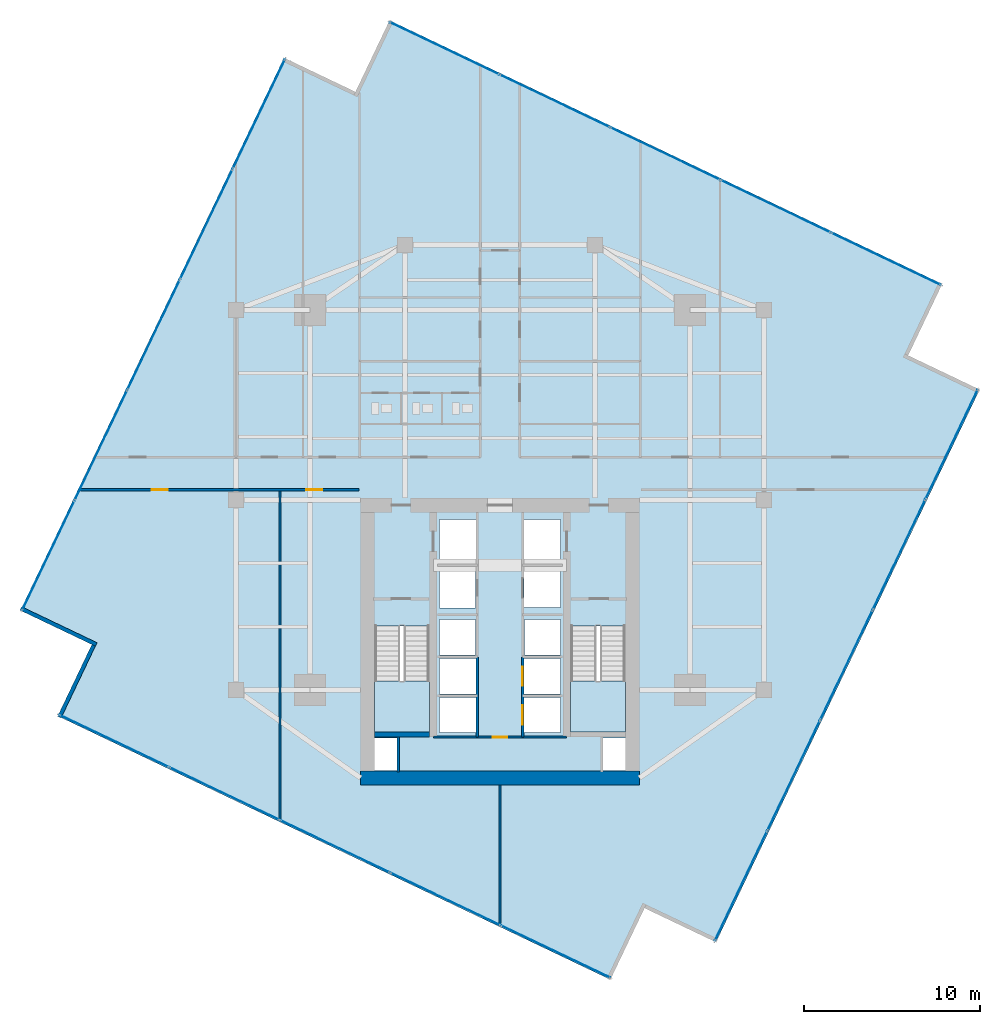
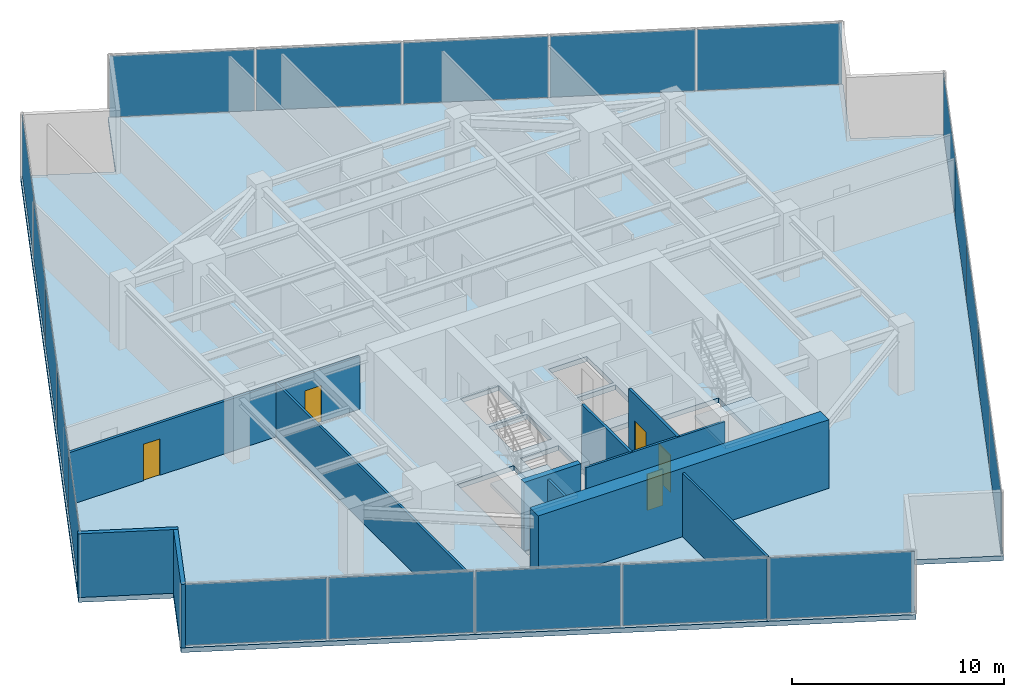
# One storey, part 21 of 25: 20 plates, 11 walls, 5 doors, 3 slabs, 5 openings, 6 elements without a shape of their own.
"""IFC4 building model written with IfcOpenShell, lengths in metres."""

from ifc_helpers import new_model, si_unit, direction, frame, frame_2d, origin, origin_2d, place, context, subcontext, project, spatial, polyline, rectangle, outline, extrude, source, transform, mapped, material, layer, layer_set, type_object, type_shapes, element, fill, aggregate, save


model = new_model("IFC4")

# Units and contexts
model_context = context("Model", 3, precision=1e-05, world=origin(), true_north=direction((0.0, 1.0)))
body_context = subcontext(model_context, "Body", "Model", "MODEL_VIEW")
ifc_project = project(units=[si_unit("LENGTHUNIT", "METRE"), si_unit("AREAUNIT", "SQUARE_METRE"), si_unit("VOLUMEUNIT", "CUBIC_METRE"), si_unit("PLANEANGLEUNIT", "RADIAN"), si_unit("MASSUNIT", "GRAM", prefix="KILO")], contexts=[model_context])

# Site, building, storey
site_placement = place(None, origin())
site = spatial("IfcSite", under=ifc_project, at=site_placement, CompositionType="ELEMENT")
building_placement = place(site_placement, origin())
building = spatial("IfcBuilding", under=site, at=building_placement, Name="Krantzveldt Concourse Tower", CompositionType="ELEMENT")
storey_placement = place(building_placement, frame((0.0, 0.0, 146.199951171875)))
storey = spatial("IfcBuildingStorey", under=building, at=storey_placement, Name="L35", CompositionType="ELEMENT", Elevation=146.199951171875)

# Stair, slab
ifc_material_1 = material(Name="Precast concrete C40/50", Category="concrete")
stair_type = type_object("IfcStairType", Name="STR-CORE-DOGLEG", PredefinedType="HALF_TURN_STAIR", material=ifc_material_1)
stair_1_placement = place(storey_placement, origin())
stair_1 = element("IfcStair", 1, at=stair_1_placement, inside=storey, type_object=stair_type, Name="L35 Protected Escape Stair ST-1", PredefinedType="HALF_TURN_STAIR")
ifc_layer_1 = layer(ifc_material_1, 0.199951171875, Name="Precast concrete C40/50", Category="concrete")
ifc_layer_set_1 = layer_set([ifc_layer_1], Name="Precast concrete C40/50 (SL-LANDING-200)")
slab_type_1 = type_object("IfcSlabType", Name="SL-LANDING-200", PredefinedType="LANDING", material=ifc_layer_set_1)
slab_1_placement = place(storey_placement, frame((0.0, 0.0, 1.775146484375)))
slab_1 = element("IfcSlab", 2, at=slab_1_placement, type_object=slab_type_1, Name="ST-1 landing 1", PredefinedType="LANDING", context=body_context, shape_type="SweptSolid", body=[
    extrude(outline(polyline([(28.8798828125, 16.4150390625), (28.8798828125, 13.52001953125), (31.97998046875, 13.52001953125), (31.97998046875, 16.4150390625), (28.8798828125, 16.4150390625)])), origin(), (0.0, 0.0, 1.0), 0.199951171875),
])
aggregate(stair_1, [slab_1])

stair_2_placement = place(storey_placement, origin())
stair_2 = element("IfcStair", 3, at=stair_2_placement, inside=storey, type_object=stair_type, Name="L35 Protected Escape Stair ST-2", PredefinedType="HALF_TURN_STAIR")
slab_2_placement = place(storey_placement, frame((0.0, 0.0, 1.775146484375)))
slab_2 = element("IfcSlab", 4, at=slab_2_placement, type_object=slab_type_1, Name="ST-2 landing 1", PredefinedType="LANDING", context=body_context, shape_type="SweptSolid", body=[
    extrude(outline(polyline([(40.02001953125, 16.4150390625), (40.02001953125, 13.52001953125), (43.1201171875, 13.52001953125), (43.1201171875, 16.4150390625), (40.02001953125, 16.4150390625)])), origin(), (0.0, 0.0, 1.0), 0.199951171875),
])
aggregate(stair_2, [slab_2])

# Slab
ifc_material_2 = material(Name="Concrete C40/50", Category="concrete")
ifc_layer_2 = layer(ifc_material_2, 0.280029296875, Name="Concrete C40/50", Category="concrete")
ifc_layer_set_2 = layer_set([ifc_layer_2], Name="Concrete C40/50 (SL-SL-TWR280)")
slab_type_2 = type_object("IfcSlabType", Name="SL-SL-TWR280", PredefinedType="FLOOR", material=ifc_layer_set_2)
slab_3_placement = place(storey_placement, frame((0.0, 0.0, -0.280029296875)))
element("IfcSlab", 5, at=slab_3_placement, inside=storey, type_object=slab_type_2, Name="SL-L35-MAIN", PredefinedType="FLOOR", context=body_context, shape_type="SweptSolid", body=[
    extrude(outline(polyline([(27.785888671875, 49.89599609375), (23.724365234375, 51.833251953125), (8.742431640625, 20.423095703125), (12.80419921875, 18.48583984375), (10.86669921875, 14.42431640625), (42.27685546875, -0.5576171875), (44.214111328125, 3.504150390625), (48.275634765625, 1.56689453125), (63.257568359375, 32.976806640625), (59.19580078125, 34.9140625), (61.13330078125, 38.975830078125), (29.72314453125, 53.95751953125), (27.785888671875, 49.89599609375)]), holes=[polyline([(28.8798828125, 19.547607421875), (28.8798828125, 13.52001953125), (31.97998046875, 13.52001953125), (31.97998046875, 19.547607421875), (28.8798828125, 19.547607421875)]), polyline([(40.02001953125, 19.547607421875), (40.02001953125, 13.52001953125), (43.1201171875, 13.52001953125), (43.1201171875, 19.547607421875), (40.02001953125, 19.547607421875)]), polyline([(32.550048828125, 23.10009765625), (34.64990234375, 23.10009765625), (34.64990234375, 25.60009765625), (32.550048828125, 25.60009765625), (32.550048828125, 23.10009765625)]), polyline([(37.35009765625, 23.10009765625), (39.449951171875, 23.10009765625), (39.449951171875, 25.60009765625), (37.35009765625, 25.60009765625), (37.35009765625, 23.10009765625)]), polyline([(37.35009765625, 20.60009765625), (39.449951171875, 20.60009765625), (39.449951171875, 22.89990234375), (37.35009765625, 22.89990234375), (37.35009765625, 20.60009765625)]), polyline([(32.550048828125, 13.47998046875), (34.64990234375, 13.47998046875), (34.64990234375, 15.47998046875), (32.550048828125, 15.47998046875), (32.550048828125, 13.47998046875)]), polyline([(32.550048828125, 15.679931640625), (34.64990234375, 15.679931640625), (34.64990234375, 17.679931640625), (32.550048828125, 17.679931640625), (32.550048828125, 15.679931640625)]), polyline([(37.35009765625, 13.47998046875), (39.449951171875, 13.47998046875), (39.449951171875, 15.47998046875), (37.35009765625, 15.47998046875), (37.35009765625, 13.47998046875)]), polyline([(37.35009765625, 15.679931640625), (39.449951171875, 15.679931640625), (39.449951171875, 17.679931640625), (37.35009765625, 17.679931640625), (37.35009765625, 15.679931640625)]), polyline([(32.550048828125, 20.550048828125), (34.6201171875, 20.550048828125), (34.6201171875, 22.89990234375), (32.550048828125, 22.89990234375), (32.550048828125, 20.550048828125)]), polyline([(32.550048828125, 17.8798828125), (34.6201171875, 17.8798828125), (34.6201171875, 19.919921875), (32.550048828125, 19.919921875), (32.550048828125, 17.8798828125)]), polyline([(37.3798828125, 17.8798828125), (39.449951171875, 17.8798828125), (39.449951171875, 19.919921875), (37.3798828125, 19.919921875), (37.3798828125, 17.8798828125)]), polyline([(28.8798828125, 11.320068359375), (30.139892578125, 11.320068359375), (30.139892578125, 13.159912109375), (28.8798828125, 13.159912109375), (28.8798828125, 11.320068359375)]), polyline([(41.860107421875, 11.320068359375), (43.1201171875, 11.320068359375), (43.1201171875, 13.159912109375), (41.860107421875, 13.159912109375), (41.860107421875, 11.320068359375)])]), origin(), (0.0, 0.0, 1.0), 0.280029296875),
])

# Curtain wall, plates
ifc_material_3 = material(Name="Anodised aluminium 6063-T6", Category="aluminium")
curtain_wall_type = type_object("IfcCurtainWallType", Name="CW3", PredefinedType="USERDEFINED", material=ifc_material_3)
curtain_wall_1_placement = place(storey_placement, origin())
curtain_wall_1 = element("IfcCurtainWall", 6, at=curtain_wall_1_placement, inside=storey, type_object=curtain_wall_type, Name="CW-L35-F01", ObjectType="UNITISED CURTAIN WALL", PredefinedType="USERDEFINED")
ifc_material_4 = material(Name="Bronze-tinted laminated low-E IGU glass", Category="glass")
ifc_layer_3 = layer(ifc_material_4, 0.031982421875, Name="Bronze-tinted laminated low-E IGU glass", Category="glass")
ifc_layer_set_3 = layer_set([ifc_layer_3], Name="Bronze-tinted laminated low-E IGU glass (CW-GLZ-32)")
plate_type = type_object("IfcPlateType", Name="CW-GLZ-32", PredefinedType="CURTAIN_PANEL", material=ifc_layer_set_3)
shared_shape_1 = source(origin(), body_context, "Body", "SweptSolid", [
    extrude(rectangle(XDim=6.85498046875, YDim=0.031982421875, at=origin_2d()), origin(), (0.0, 0.0, 1.0), 3.530029296875),
])
plate_1_placement = place(storey_placement, frame((22.2998046875, 48.6376953125, 0.06982421875), z_axis=(0.0, 0.0, 1.0), x_axis=(-0.430511162987, -0.902585252784, 0.0)))
plate_1 = element("IfcPlate", 7, at=plate_1_placement, type_object=plate_type, Name="CW-Z34 panel 1.1", PredefinedType="CURTAIN_PANEL", context=body_context, shape_type="MappedRepresentation", body=[
    mapped(shared_shape_1, transform((0.0, 0.0, 0.0), x_axis=(1.0, 0.0, 0.0), y_axis=(0.0, 1.0, 0.0), z_axis=(0.0, 0.0, 1.0), scale=1.0)),
])
plate_2_placement = place(storey_placement, frame((10.329345703125, 23.541259765625, 0.06982421875), z_axis=(0.0, 0.0, 1.0), x_axis=(-0.430511162987, -0.902585252784, 0.0)))
plate_2 = element("IfcPlate", 8, at=plate_2_placement, type_object=plate_type, Name="CW-Z34 panel 5.1", PredefinedType="CURTAIN_PANEL", context=body_context, shape_type="MappedRepresentation", body=[
    mapped(shared_shape_1, transform((0.0, 0.0, 0.0), x_axis=(1.0, 0.0, 0.0), y_axis=(0.0, 1.0, 0.0), z_axis=(0.0, 0.0, 1.0), scale=1.0)),
])

curtain_wall_2_placement = place(storey_placement, origin())
curtain_wall_2 = element("IfcCurtainWall", 9, at=curtain_wall_2_placement, inside=storey, type_object=curtain_wall_type, Name="CW-L35-F04", ObjectType="UNITISED CURTAIN WALL", PredefinedType="USERDEFINED")
plate_3_placement = place(storey_placement, frame((14.062255859375, 12.999755859375, 0.06982421875), z_axis=(0.0, 0.0, 1.0), x_axis=(0.902585252784, -0.430511162987, 0.0)))
plate_3 = element("IfcPlate", 10, at=plate_3_placement, type_object=plate_type, Name="CW-Z34 panel 1.1", PredefinedType="CURTAIN_PANEL", context=body_context, shape_type="MappedRepresentation", body=[
    mapped(shared_shape_1, transform((0.0, 0.0, 0.0), x_axis=(1.0, 0.0, 0.0), y_axis=(0.0, 1.0, 0.0), z_axis=(0.0, 0.0, 1.0), scale=1.0)),
])
plate_4_placement = place(storey_placement, frame((39.15869140625, 1.029541015625, 0.06982421875), z_axis=(0.0, 0.0, 1.0), x_axis=(0.902585252784, -0.430511162987, 0.0)))
plate_4 = element("IfcPlate", 11, at=plate_4_placement, type_object=plate_type, Name="CW-Z34 panel 5.1", PredefinedType="CURTAIN_PANEL", context=body_context, shape_type="MappedRepresentation", body=[
    mapped(shared_shape_1, transform((0.0, 0.0, 0.0), x_axis=(1.0, 0.0, 0.0), y_axis=(0.0, 1.0, 0.0), z_axis=(0.0, 0.0, 1.0), scale=1.0)),
])

curtain_wall_3_placement = place(storey_placement, origin())
curtain_wall_3 = element("IfcCurtainWall", 12, at=curtain_wall_3_placement, inside=storey, type_object=curtain_wall_type, Name="CW-L35-F07", ObjectType="UNITISED CURTAIN WALL", PredefinedType="USERDEFINED")
plate_5_placement = place(storey_placement, frame((49.7001953125, 4.762451171875, 0.06982421875), z_axis=(0.0, 0.0, 1.0), x_axis=(0.430511162987, 0.902585252784, 0.0)))
plate_5 = element("IfcPlate", 13, at=plate_5_placement, type_object=plate_type, Name="CW-Z34 panel 1.1", PredefinedType="CURTAIN_PANEL", context=body_context, shape_type="MappedRepresentation", body=[
    mapped(shared_shape_1, transform((0.0, 0.0, 0.0), x_axis=(1.0, 0.0, 0.0), y_axis=(0.0, 1.0, 0.0), z_axis=(0.0, 0.0, 1.0), scale=1.0)),
])
plate_6_placement = place(storey_placement, frame((61.670654296875, 29.858642578125, 0.06982421875), z_axis=(0.0, 0.0, 1.0), x_axis=(0.430511162987, 0.902585252784, 0.0)))
plate_6 = element("IfcPlate", 14, at=plate_6_placement, type_object=plate_type, Name="CW-Z34 panel 5.1", PredefinedType="CURTAIN_PANEL", context=body_context, shape_type="MappedRepresentation", body=[
    mapped(shared_shape_1, transform((0.0, 0.0, 0.0), x_axis=(1.0, 0.0, 0.0), y_axis=(0.0, 1.0, 0.0), z_axis=(0.0, 0.0, 1.0), scale=1.0)),
])

curtain_wall_4_placement = place(storey_placement, origin())
curtain_wall_4 = element("IfcCurtainWall", 15, at=curtain_wall_4_placement, inside=storey, type_object=curtain_wall_type, Name="CW-L35-F10", ObjectType="UNITISED CURTAIN WALL", PredefinedType="USERDEFINED")
plate_7_placement = place(storey_placement, frame((57.937744140625, 40.400146484375, 0.06982421875), z_axis=(0.0, 0.0, 1.0), x_axis=(-0.902585252784, 0.430511162987, 0.0)))
plate_7 = element("IfcPlate", 16, at=plate_7_placement, type_object=plate_type, Name="CW-Z34 panel 1.1", PredefinedType="CURTAIN_PANEL", context=body_context, shape_type="MappedRepresentation", body=[
    mapped(shared_shape_1, transform((0.0, 0.0, 0.0), x_axis=(1.0, 0.0, 0.0), y_axis=(0.0, 1.0, 0.0), z_axis=(0.0, 0.0, 1.0), scale=1.0)),
])
plate_8_placement = place(storey_placement, frame((32.84130859375, 52.37060546875, 0.06982421875), z_axis=(0.0, 0.0, 1.0), x_axis=(-0.902585252784, 0.430511162987, 0.0)))
plate_8 = element("IfcPlate", 17, at=plate_8_placement, type_object=plate_type, Name="CW-Z34 panel 5.1", PredefinedType="CURTAIN_PANEL", context=body_context, shape_type="MappedRepresentation", body=[
    mapped(shared_shape_1, transform((0.0, 0.0, 0.0), x_axis=(1.0, 0.0, 0.0), y_axis=(0.0, 1.0, 0.0), z_axis=(0.0, 0.0, 1.0), scale=1.0)),
])

# Plate
shared_shape_2 = source(origin(), body_context, "Body", "SweptSolid", [
    extrude(rectangle(XDim=6.889892578125, YDim=0.031982421875, at=origin_2d()), origin(), (0.0, 0.0, 1.0), 3.530029296875),
])
type_shapes(plate_type, [shared_shape_1, shared_shape_2])
plate_9_placement = place(storey_placement, frame((19.31103515625, 42.371337890625, 0.06982421875), z_axis=(0.0, 0.0, 1.0), x_axis=(-0.430511162987, -0.902585252784, 0.0)))
plate_9 = element("IfcPlate", 18, at=plate_9_placement, type_object=plate_type, Name="CW-Z34 panel 2.1", PredefinedType="CURTAIN_PANEL", context=body_context, shape_type="MappedRepresentation", body=[
    mapped(shared_shape_2, transform((0.0, 0.0, 0.0), x_axis=(1.0, 0.0, 0.0), y_axis=(0.0, 1.0, 0.0), z_axis=(0.0, 0.0, 1.0), scale=1.0)),
])

plate_10_placement = place(storey_placement, frame((16.314697265625, 36.08935546875, 0.06982421875), z_axis=(0.0, 0.0, 1.0), x_axis=(-0.430511162987, -0.902585252784, 0.0)))
plate_10 = element("IfcPlate", 19, at=plate_10_placement, type_object=plate_type, Name="CW-Z34 panel 3.1", PredefinedType="CURTAIN_PANEL", context=body_context, shape_type="MappedRepresentation", body=[
    mapped(shared_shape_2, transform((0.0, 0.0, 0.0), x_axis=(1.0, 0.0, 0.0), y_axis=(0.0, 1.0, 0.0), z_axis=(0.0, 0.0, 1.0), scale=1.0)),
])

plate_11_placement = place(storey_placement, frame((13.318359375, 29.807373046875, 0.06982421875), z_axis=(0.0, 0.0, 1.0), x_axis=(-0.430511162987, -0.902585252784, 0.0)))
plate_11 = element("IfcPlate", 20, at=plate_11_placement, type_object=plate_type, Name="CW-Z34 panel 4.1", PredefinedType="CURTAIN_PANEL", context=body_context, shape_type="MappedRepresentation", body=[
    mapped(shared_shape_2, transform((0.0, 0.0, 0.0), x_axis=(1.0, 0.0, 0.0), y_axis=(0.0, 1.0, 0.0), z_axis=(0.0, 0.0, 1.0), scale=1.0)),
])

aggregate(curtain_wall_1, [plate_1, plate_9, plate_10, plate_11, plate_2])

plate_12_placement = place(storey_placement, frame((20.32861328125, 10.010986328125, 0.06982421875), z_axis=(0.0, 0.0, 1.0), x_axis=(0.902585252784, -0.430511162987, 0.0)))
plate_12 = element("IfcPlate", 21, at=plate_12_placement, type_object=plate_type, Name="CW-Z34 panel 2.1", PredefinedType="CURTAIN_PANEL", context=body_context, shape_type="MappedRepresentation", body=[
    mapped(shared_shape_2, transform((0.0, 0.0, 0.0), x_axis=(1.0, 0.0, 0.0), y_axis=(0.0, 1.0, 0.0), z_axis=(0.0, 0.0, 1.0), scale=1.0)),
])

plate_13_placement = place(storey_placement, frame((26.610595703125, 7.0146484375, 0.06982421875), z_axis=(0.0, 0.0, 1.0), x_axis=(0.902585252784, -0.430511162987, 0.0)))
plate_13 = element("IfcPlate", 22, at=plate_13_placement, type_object=plate_type, Name="CW-Z34 panel 3.1", PredefinedType="CURTAIN_PANEL", context=body_context, shape_type="MappedRepresentation", body=[
    mapped(shared_shape_2, transform((0.0, 0.0, 0.0), x_axis=(1.0, 0.0, 0.0), y_axis=(0.0, 1.0, 0.0), z_axis=(0.0, 0.0, 1.0), scale=1.0)),
])

plate_14_placement = place(storey_placement, frame((32.892578125, 4.018310546875, 0.06982421875), z_axis=(0.0, 0.0, 1.0), x_axis=(0.902585252784, -0.430511162987, 0.0)))
plate_14 = element("IfcPlate", 23, at=plate_14_placement, type_object=plate_type, Name="CW-Z34 panel 4.1", PredefinedType="CURTAIN_PANEL", context=body_context, shape_type="MappedRepresentation", body=[
    mapped(shared_shape_2, transform((0.0, 0.0, 0.0), x_axis=(1.0, 0.0, 0.0), y_axis=(0.0, 1.0, 0.0), z_axis=(0.0, 0.0, 1.0), scale=1.0)),
])

aggregate(curtain_wall_2, [plate_3, plate_12, plate_13, plate_14, plate_4])

plate_15_placement = place(storey_placement, frame((52.68896484375, 11.028564453125, 0.06982421875), z_axis=(0.0, 0.0, 1.0), x_axis=(0.430511162987, 0.902585252784, 0.0)))
plate_15 = element("IfcPlate", 24, at=plate_15_placement, type_object=plate_type, Name="CW-Z34 panel 2.1", PredefinedType="CURTAIN_PANEL", context=body_context, shape_type="MappedRepresentation", body=[
    mapped(shared_shape_2, transform((0.0, 0.0, 0.0), x_axis=(1.0, 0.0, 0.0), y_axis=(0.0, 1.0, 0.0), z_axis=(0.0, 0.0, 1.0), scale=1.0)),
])

plate_16_placement = place(storey_placement, frame((55.685302734375, 17.310546875, 0.06982421875), z_axis=(0.0, 0.0, 1.0), x_axis=(0.430511162987, 0.902585252784, 0.0)))
plate_16 = element("IfcPlate", 25, at=plate_16_placement, type_object=plate_type, Name="CW-Z34 panel 3.1", PredefinedType="CURTAIN_PANEL", context=body_context, shape_type="MappedRepresentation", body=[
    mapped(shared_shape_2, transform((0.0, 0.0, 0.0), x_axis=(1.0, 0.0, 0.0), y_axis=(0.0, 1.0, 0.0), z_axis=(0.0, 0.0, 1.0), scale=1.0)),
])

plate_17_placement = place(storey_placement, frame((58.681640625, 23.592529296875, 0.06982421875), z_axis=(0.0, 0.0, 1.0), x_axis=(0.430511162987, 0.902585252784, 0.0)))
plate_17 = element("IfcPlate", 26, at=plate_17_placement, type_object=plate_type, Name="CW-Z34 panel 4.1", PredefinedType="CURTAIN_PANEL", context=body_context, shape_type="MappedRepresentation", body=[
    mapped(shared_shape_2, transform((0.0, 0.0, 0.0), x_axis=(1.0, 0.0, 0.0), y_axis=(0.0, 1.0, 0.0), z_axis=(0.0, 0.0, 1.0), scale=1.0)),
])

aggregate(curtain_wall_3, [plate_5, plate_15, plate_16, plate_17, plate_6])

plate_18_placement = place(storey_placement, frame((51.67138671875, 43.388916015625, 0.06982421875), z_axis=(0.0, 0.0, 1.0), x_axis=(-0.902585252784, 0.430511162987, 0.0)))
plate_18 = element("IfcPlate", 27, at=plate_18_placement, type_object=plate_type, Name="CW-Z34 panel 2.1", PredefinedType="CURTAIN_PANEL", context=body_context, shape_type="MappedRepresentation", body=[
    mapped(shared_shape_2, transform((0.0, 0.0, 0.0), x_axis=(1.0, 0.0, 0.0), y_axis=(0.0, 1.0, 0.0), z_axis=(0.0, 0.0, 1.0), scale=1.0)),
])

plate_19_placement = place(storey_placement, frame((45.389404296875, 46.385498046875, 0.06982421875), z_axis=(0.0, 0.0, 1.0), x_axis=(-0.902585252784, 0.430511162987, 0.0)))
plate_19 = element("IfcPlate", 28, at=plate_19_placement, type_object=plate_type, Name="CW-Z34 panel 3.1", PredefinedType="CURTAIN_PANEL", context=body_context, shape_type="MappedRepresentation", body=[
    mapped(shared_shape_2, transform((0.0, 0.0, 0.0), x_axis=(1.0, 0.0, 0.0), y_axis=(0.0, 1.0, 0.0), z_axis=(0.0, 0.0, 1.0), scale=1.0)),
])

plate_20_placement = place(storey_placement, frame((39.107421875, 49.3818359375, 0.06982421875), z_axis=(0.0, 0.0, 1.0), x_axis=(-0.902585252784, 0.430511162987, 0.0)))
plate_20 = element("IfcPlate", 29, at=plate_20_placement, type_object=plate_type, Name="CW-Z34 panel 4.1", PredefinedType="CURTAIN_PANEL", context=body_context, shape_type="MappedRepresentation", body=[
    mapped(shared_shape_2, transform((0.0, 0.0, 0.0), x_axis=(1.0, 0.0, 0.0), y_axis=(0.0, 1.0, 0.0), z_axis=(0.0, 0.0, 1.0), scale=1.0)),
])

aggregate(curtain_wall_4, [plate_7, plate_18, plate_19, plate_20, plate_8])

# Walls
ifc_layer_4 = layer(ifc_material_3, 0.219970703125, Name="Anodised aluminium 6063-T6", Category="aluminium")
ifc_layer_set_4 = layer_set([ifc_layer_4], Name="Anodised aluminium 6063-T6 (WL-EXT-NOTCH220)")
wall_type_1 = type_object("IfcWallType", Name="WL-EXT-NOTCH220", PredefinedType="ELEMENTEDWALL", material=ifc_layer_set_4)
wall_1_placement = place(storey_placement, frame((8.767333984375, 20.533203125, 0.0), z_axis=(0.0, 0.0, 1.0), x_axis=(0.902587379521, -0.430506704164, 0.0)))
element("IfcWall", 30, at=wall_1_placement, inside=storey, type_object=wall_type_1, Name="EW-L35-NCH02", PredefinedType="ELEMENTEDWALL", context=body_context, shape_type="SweptSolid", body=[
    extrude(rectangle(XDim=4.744873046875, YDim=0.219970703125, at=frame_2d((2.37255859375, 0.0))), origin(), (0.0, 0.0, 1.0), 3.670166015625),
])
wall_2_placement = place(storey_placement, frame((12.9033203125, 18.4384765625, 0.0), z_axis=(0.0, 0.0, 1.0), x_axis=(-0.43049686945, -0.902592070314, 0.0)))
element("IfcWall", 31, at=wall_2_placement, inside=storey, type_object=wall_type_1, Name="EW-L35-NCH03", PredefinedType="ELEMENTEDWALL", context=body_context, shape_type="SweptSolid", body=[
    extrude(rectangle(XDim=4.52490234375, YDim=0.219970703125, at=frame_2d((2.262451171875, 0.0))), origin(), (0.0, 0.0, 1.0), 3.670166015625),
])

# Wall, opening, door
ifc_material_5 = material(Name="Fire-rated gypsum plasterboard on steel stud", Category="steel")
ifc_layer_5 = layer(ifc_material_5, 0.1201171875, Name="Fire-rated gypsum plasterboard on steel stud", Category="steel")
ifc_layer_set_5 = layer_set([ifc_layer_5], Name="Fire-rated gypsum plasterboard on steel stud (WL-PART-120)")
wall_type_2 = type_object("IfcWallType", Name="WL-PART-120", PredefinedType="PARTITIONING", material=ifc_layer_set_5)
wall_3_placement = place(storey_placement, frame((32.2099609375, 13.219970703125, 0.0), z_axis=(0.0, 0.0, 1.0), x_axis=(1.0, 0.0, 0.0)))
wall_3 = element("IfcWall", 32, at=wall_3_placement, inside=storey, type_object=wall_type_2, Name="WP-L35-CS2H", PredefinedType="PARTITIONING", context=body_context, shape_type="SweptSolid", body=[
    extrude(rectangle(XDim=7.580078125, YDim=0.1201171875, at=frame_2d((3.7900390625, 0.0))), origin(), (0.0, 0.0, 1.0), 3.670166015625),
])
opening_1_placement = place(wall_3_placement, frame((3.364990234375, 0.0, 0.0)))
opening_1 = element("IfcOpeningElement", 33, at=opening_1_placement, cuts=wall_3, Name="Opening D-IN085", PredefinedType="OPENING", context=body_context, shape_type="SweptSolid", body=[
    extrude(rectangle(XDim=0.85009765625, YDim=2.10009765625, at=frame_2d((0.425048828125, 1.050048828125))), frame((0.0, 0.070068359375, 0.0), z_axis=(0.0, -1.0, 0.0), x_axis=(1.0, 0.0, 0.0)), (0.0, 0.0, 1.0), 0.14013671875),
])
ifc_material_6 = material(Name="Hardwood timber", Category="wood")
door_type_1 = type_object("IfcDoorType", Name="DR-INT-850", OperationType="SINGLE_SWING_LEFT", PredefinedType="DOOR", material=ifc_material_6)
door_1_placement = place(opening_1_placement, origin())
door_1 = element("IfcDoor", 34, at=door_1_placement, inside=storey, type_object=door_type_1, Name="DR-L35-CSC1", OperationType="SINGLE_SWING_RIGHT", OverallHeight=2.10009765625, OverallWidth=0.85009765625, PredefinedType="DOOR", context=body_context, shape_type="SweptSolid", body=[
    extrude(rectangle(XDim=0.85009765625, YDim=2.10009765625, at=frame_2d((0.425048828125, 1.050048828125))), frame((0.0, 0.02490234375, 0.0), z_axis=(0.0, -1.0, 0.0), x_axis=(1.0, 0.0, 0.0)), (0.0, 0.0, 1.0), 0.050048828125),
])
fill(opening_1, door_1)

# Walls
wall_4_placement = place(storey_placement, frame((36.0, 2.5361328125, 0.0), z_axis=(0.0, 0.0, 1.0), x_axis=(0.0, 1.0, 0.0)))
element("IfcWall", 35, at=wall_4_placement, inside=storey, type_object=wall_type_2, Name="WP-L35-SMID", PredefinedType="PARTITIONING", context=body_context, shape_type="SweptSolid", body=[
    extrude(rectangle(XDim=7.9638671875, YDim=0.1201171875, at=frame_2d((3.98193359375, 0.0))), origin(), (0.0, 0.0, 1.0), 3.670166015625),
])
wall_5_placement = place(storey_placement, frame((23.5, 8.498291015625, 0.0), z_axis=(0.0, 0.0, 1.0), x_axis=(0.0, 1.0, 0.0)))
element("IfcWall", 36, at=wall_5_placement, inside=storey, type_object=wall_type_2, Name="WP-L35-SWX1", PredefinedType="PARTITIONING", context=body_context, shape_type="SweptSolid", body=[
    extrude(rectangle(XDim=18.78173828125, YDim=0.1201171875, at=frame_2d((9.390869140625, 0.0))), origin(), (0.0, 0.0, 1.0), 3.080078125),
])

# Wall, openings, doors
ifc_layer_6 = layer(ifc_material_5, 0.139892578125, Name="Fire-rated gypsum plasterboard on steel stud", Category="steel")
ifc_layer_set_6 = layer_set([ifc_layer_6], Name="Fire-rated gypsum plasterboard on steel stud (WL-PART-140)")
wall_type_3 = type_object("IfcWallType", Name="WL-PART-140", PredefinedType="PARTITIONING", material=ifc_layer_set_6)
wall_6_placement = place(storey_placement, frame((12.11279296875, 27.280029296875, 0.0), z_axis=(0.0, 0.0, 1.0), x_axis=(1.0, 0.0, 0.0)))
wall_6 = element("IfcWall", 37, at=wall_6_placement, inside=storey, type_object=wall_type_3, Name="WP-L35-EWSL", PredefinedType="PARTITIONING", context=body_context, shape_type="SweptSolid", body=[
    extrude(rectangle(XDim=15.88720703125, YDim=0.139892578125, at=frame_2d((7.943603515625, 0.0))), origin(), (0.0, 0.0, 1.0), 3.030029296875),
])
opening_2_placement = place(wall_6_placement, frame((4.105224609375, 0.0, 0.0)))
opening_2 = element("IfcOpeningElement", 38, at=opening_2_placement, cuts=wall_6, Name="Opening D-IN090", PredefinedType="OPENING", context=body_context, shape_type="SweptSolid", body=[
    extrude(rectangle(XDim=0.89990234375, YDim=2.10009765625, at=frame_2d((0.449951171875, 1.050048828125))), frame((0.0, 0.080078125, 0.0), z_axis=(0.0, -1.0, 0.0), x_axis=(1.0, 0.0, 0.0)), (0.0, 0.0, 1.0), 0.159912109375),
])
opening_3_placement = place(wall_6_placement, frame((12.88720703125, 0.0, 0.0)))
opening_3 = element("IfcOpeningElement", 39, at=opening_3_placement, cuts=wall_6, Name="Opening D-IN090", PredefinedType="OPENING", context=body_context, shape_type="SweptSolid", body=[
    extrude(rectangle(XDim=0.89990234375, YDim=2.10009765625, at=frame_2d((0.449951171875, 1.050048828125))), frame((0.0, 0.080078125, 0.0), z_axis=(0.0, -1.0, 0.0), x_axis=(1.0, 0.0, 0.0)), (0.0, 0.0, 1.0), 0.159912109375),
])
door_type_2 = type_object("IfcDoorType", Name="DR-INT-900", OperationType="SINGLE_SWING_LEFT", PredefinedType="DOOR", material=ifc_material_6)
door_2_placement = place(opening_2_placement, origin())
door_2 = element("IfcDoor", 40, at=door_2_placement, inside=storey, type_object=door_type_2, Name="DR-L35-SWX1", OperationType="SINGLE_SWING_LEFT", OverallHeight=2.10009765625, OverallWidth=0.89990234375, PredefinedType="DOOR", context=body_context, shape_type="SweptSolid", body=[
    extrude(rectangle(XDim=0.89990234375, YDim=2.10009765625, at=frame_2d((0.449951171875, 1.050048828125))), frame((0.0, 0.02490234375, 0.0), z_axis=(0.0, -1.0, 0.0), x_axis=(1.0, 0.0, 0.0)), (0.0, 0.0, 1.0), 0.050048828125),
])
fill(opening_2, door_2)
door_3_placement = place(opening_3_placement, origin())
door_3 = element("IfcDoor", 41, at=door_3_placement, inside=storey, type_object=door_type_2, Name="DR-L35-SWX2", OperationType="SINGLE_SWING_LEFT", OverallHeight=2.10009765625, OverallWidth=0.89990234375, PredefinedType="DOOR", context=body_context, shape_type="SweptSolid", body=[
    extrude(rectangle(XDim=0.89990234375, YDim=2.10009765625, at=frame_2d((0.449951171875, 1.050048828125))), frame((0.0, 0.02490234375, 0.0), z_axis=(0.0, -1.0, 0.0), x_axis=(1.0, 0.0, 0.0)), (0.0, 0.0, 1.0), 0.050048828125),
])
fill(opening_3, door_3)

# Wall
ifc_layer_7 = layer(ifc_material_5, 0.139892578125, Name="Fire-rated gypsum plasterboard on steel stud", Category="steel")
ifc_layer_set_7 = layer_set([ifc_layer_7], Name="Fire-rated gypsum plasterboard on steel stud (WL-PART-FR140)")
wall_type_4 = type_object("IfcWallType", Name="WL-PART-FR140", PredefinedType="PARTITIONING", material=ifc_layer_set_7)
wall_7_placement = place(storey_placement, frame((34.719970703125, 13.219970703125, 0.0), z_axis=(0.0, 0.0, 1.0), x_axis=(0.0, 1.0, 0.0)))
element("IfcWall", 42, at=wall_7_placement, inside=storey, type_object=wall_type_4, Name="WP-L35-SHSW", PredefinedType="PARTITIONING", context=body_context, shape_type="SweptSolid", body=[
    extrude(rectangle(XDim=4.56005859375, YDim=0.139892578125, at=frame_2d((2.280029296875, 0.0))), origin(), (0.0, 0.0, 1.0), 3.670166015625),
])

# Wall, openings, doors
wall_8_placement = place(storey_placement, frame((37.280029296875, 13.219970703125, 0.0), z_axis=(0.0, 0.0, 1.0), x_axis=(0.0, 1.0, 0.0)))
wall_8 = element("IfcWall", 43, at=wall_8_placement, inside=storey, type_object=wall_type_4, Name="WP-L35-SHSE", PredefinedType="PARTITIONING", context=body_context, shape_type="SweptSolid", body=[
    extrude(rectangle(XDim=4.56005859375, YDim=0.139892578125, at=frame_2d((2.280029296875, 0.0))), origin(), (0.0, 0.0, 1.0), 3.670166015625),
])
opening_4_placement = place(wall_8_placement, frame((0.7099609375, 0.0, 0.0)))
opening_4 = element("IfcOpeningElement", 44, at=opening_4_placement, cuts=wall_8, Name="Opening LD", PredefinedType="OPENING", context=body_context, shape_type="SweptSolid", body=[
    extrude(rectangle(XDim=1.10009765625, YDim=2.14990234375, at=frame_2d((0.550048828125, 1.074951171875))), frame((0.0, 0.080078125, 0.0), z_axis=(0.0, -1.0, 0.0), x_axis=(1.0, 0.0, 0.0)), (0.0, 0.0, 1.0), 0.159912109375),
])
opening_5_placement = place(wall_8_placement, frame((2.909912109375, 0.0, 0.0)))
opening_5 = element("IfcOpeningElement", 45, at=opening_5_placement, cuts=wall_8, Name="Opening LD", PredefinedType="OPENING", context=body_context, shape_type="SweptSolid", body=[
    extrude(rectangle(XDim=1.10009765625, YDim=2.14990234375, at=frame_2d((0.550048828125, 1.074951171875))), frame((0.0, 0.080078125, 0.0), z_axis=(0.0, -1.0, 0.0), x_axis=(1.0, 0.0, 0.0)), (0.0, 0.0, 1.0), 0.159912109375),
])
ifc_material_7 = material(Name="Stainless steel 316L", Category="steel")
door_type_3 = type_object("IfcDoorType", Name="DR-SLIDE-LD1100", OperationType="DOUBLE_DOOR_SLIDING", PredefinedType="DOOR", material=ifc_material_7)
door_4_placement = place(opening_4_placement, origin())
door_4 = element("IfcDoor", 46, at=door_4_placement, inside=storey, type_object=door_type_3, Name="LD-L35-PM1", OperationType="DOUBLE_DOOR_SLIDING", OverallHeight=2.14990234375, OverallWidth=1.10009765625, PredefinedType="DOOR", context=body_context, shape_type="SweptSolid", body=[
    extrude(rectangle(XDim=1.10009765625, YDim=2.14990234375, at=frame_2d((0.550048828125, 1.074951171875))), frame((0.0, 0.02490234375, 0.0), z_axis=(0.0, -1.0, 0.0), x_axis=(1.0, 0.0, 0.0)), (0.0, 0.0, 1.0), 0.050048828125),
])
fill(opening_4, door_4)
door_5_placement = place(opening_5_placement, origin())
door_5 = element("IfcDoor", 47, at=door_5_placement, inside=storey, type_object=door_type_3, Name="LD-L35-PM2", OperationType="DOUBLE_DOOR_SLIDING", OverallHeight=2.14990234375, OverallWidth=1.10009765625, PredefinedType="DOOR", context=body_context, shape_type="SweptSolid", body=[
    extrude(rectangle(XDim=1.10009765625, YDim=2.14990234375, at=frame_2d((0.550048828125, 1.074951171875))), frame((0.0, 0.02490234375, 0.0), z_axis=(0.0, -1.0, 0.0), x_axis=(1.0, 0.0, 0.0)), (0.0, 0.0, 1.0), 0.050048828125),
])
fill(opening_5, door_5)

# Walls
wall_9_placement = place(storey_placement, frame((30.219970703125, 11.25, 0.0), z_axis=(0.0, 0.0, 1.0), x_axis=(0.0, 1.0, 0.0)))
element("IfcWall", 48, at=wall_9_placement, inside=storey, type_object=wall_type_4, Name="WP-L35-RSW", PredefinedType="PARTITIONING", context=body_context, shape_type="SweptSolid", body=[
    extrude(rectangle(XDim=1.969970703125, YDim=0.1201171875, at=frame_2d((0.98486328125, 0.0))), origin(), (0.0, 0.0, 1.0), 3.670166015625),
])
ifc_material_8 = material(Name="Concrete C50/60", Category="concrete")
ifc_layer_8 = layer(ifc_material_8, 0.300048828125, Name="Concrete C50/60", Category="concrete")
ifc_layer_set_8 = layer_set([ifc_layer_8], Name="Concrete C50/60 (WL-SHEAR-300)")
wall_type_5 = type_object("IfcWallType", Name="WL-SHEAR-300", PredefinedType="SHEAR", material=ifc_layer_set_8)
wall_10_placement = place(storey_placement, frame((28.8798828125, 13.3701171875, 0.0), z_axis=(0.0, 0.0, 1.0), x_axis=(1.0, 0.0, 0.0)))
element("IfcWall", 49, at=wall_10_placement, inside=storey, type_object=wall_type_5, Name="CW-L35-ST1S", PredefinedType="SHEAR", context=body_context, shape_type="SweptSolid", body=[
    extrude(rectangle(XDim=3.10009765625, YDim=0.300048828125, at=frame_2d((1.550048828125, 0.0))), origin(), (0.0, 0.0, 1.0), 3.949951171875),
])
ifc_material_9 = material(Name="Concrete C60/75", Category="concrete")
ifc_layer_9 = layer(ifc_material_9, 0.800048828125, Name="Concrete C60/75", Category="concrete")
ifc_layer_set_9 = layer_set([ifc_layer_9], Name="Concrete C60/75 (WL-SHEAR-800)")
wall_type_6 = type_object("IfcWallType", Name="WL-SHEAR-800", PredefinedType="SHEAR", material=ifc_layer_set_9)
wall_11_placement = place(storey_placement, frame((28.080078125, 10.89990234375, 0.0), z_axis=(0.0, 0.0, 1.0), x_axis=(1.0, 0.0, 0.0)))
element("IfcWall", 50, at=wall_11_placement, inside=storey, type_object=wall_type_6, Name="CW-L35-S", PredefinedType="SHEAR", context=body_context, shape_type="SweptSolid", body=[
    extrude(rectangle(XDim=15.83984375, YDim=0.800048828125, at=frame_2d((7.919921875, 0.0))), origin(), (0.0, 0.0, 1.0), 3.949951171875),
])

save(model, "model.ifc")
